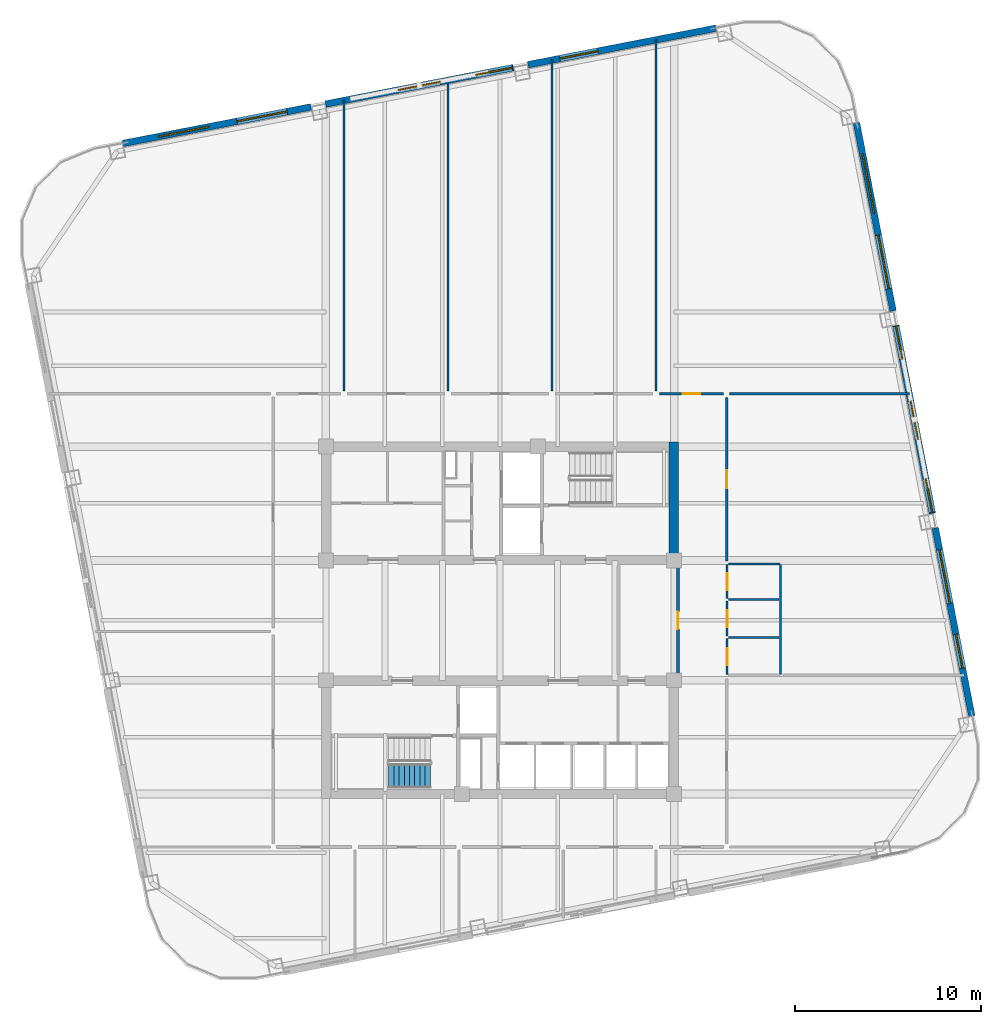
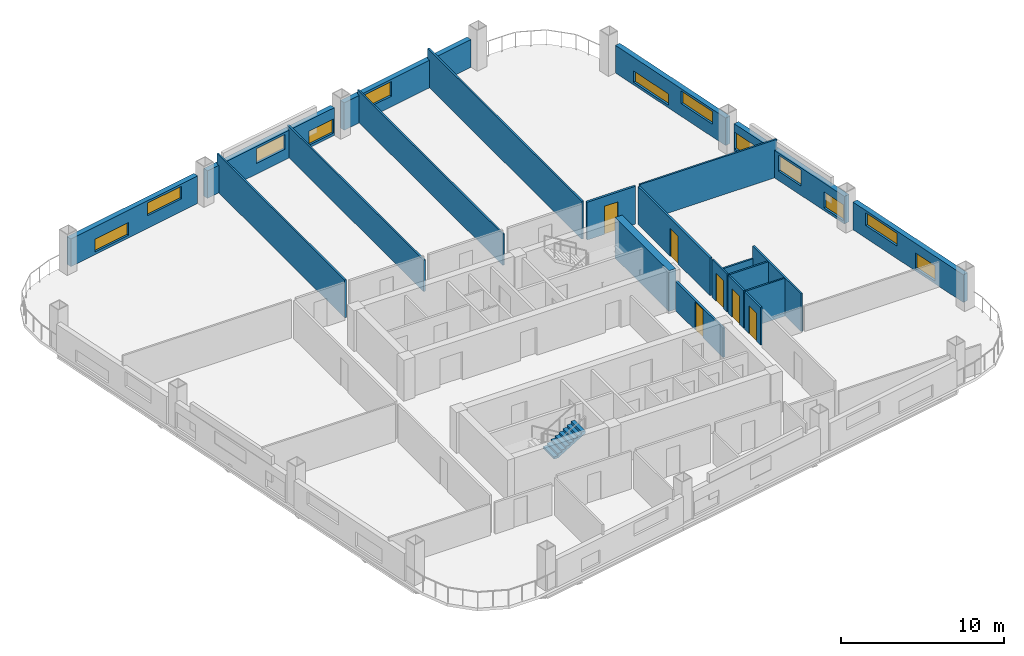
# One storey, part 5 of 9: 22 walls, 12 windows, 6 doors, 1 stair flight, 18 openings, 1 element without a shape of its own.
"""IFC4 building model written with IfcOpenShell, lengths in metres."""

from ifc_helpers import new_model, si_unit, direction, frame, frame_2d, origin, place, context, subcontext, project, spatial, polyline, rectangle, outline, extrude, material, layer, layer_set, type_object, element, fill, aggregate, save


model = new_model("IFC4")

# Units and contexts
model_context = context("Model", 3, precision=1e-05, world=origin(), true_north=direction((0.0, 1.0)))
body_context = subcontext(model_context, "Body", "Model", "MODEL_VIEW")
ifc_project = project(units=[si_unit("LENGTHUNIT", "METRE"), si_unit("AREAUNIT", "SQUARE_METRE"), si_unit("VOLUMEUNIT", "CUBIC_METRE"), si_unit("PLANEANGLEUNIT", "RADIAN"), si_unit("MASSUNIT", "GRAM", prefix="KILO")], contexts=[model_context])

# Site, building, storey
site_placement = place(None, origin())
site = spatial("IfcSite", under=ifc_project, at=site_placement, CompositionType="ELEMENT")
building_placement = place(site_placement, origin())
building = spatial("IfcBuilding", under=site, at=building_placement, Name="Qhalaya Broadcast Tower", CompositionType="ELEMENT")
storey_placement = place(building_placement, frame((0.0, 0.0, 121.949951171875)))
storey = spatial("IfcBuildingStorey", under=building, at=storey_placement, Name="L35", CompositionType="ELEMENT", Elevation=121.949951171875)

# Wall, opening, door
ifc_material_1 = material(Name="Gypsum Acoustic Partition")
ifc_layer_1 = layer(ifc_material_1, 0.14990234375, Name="Gypsum Acoustic Partition")
ifc_layer_set_1 = layer_set([ifc_layer_1], Name="Gypsum Acoustic Partition")
wall_type_1 = type_object("IfcWallType", Name="Corridor & Tenancy Acoustic Partition 150", PredefinedType="PARTITIONING", material=ifc_layer_set_1)
wall_1_placement = place(storey_placement, frame((9.580078125, -2.320068359375, 0.0), z_axis=(0.0, 0.0, 1.0), x_axis=(0.0, 1.0, 0.0)))
wall_1 = element("IfcWall", 1, at=wall_1_placement, inside=storey, type_object=wall_type_1, Name="L35 Partition Wall W-ICHE", PredefinedType="PARTITIONING", context=body_context, shape_type="SweptSolid", body=[
    extrude(rectangle(XDim=5.840087890625, YDim=0.14990234375, at=frame_2d((2.919921875, 0.0))), origin(), (0.0, 0.0, 1.0), 2.197998046875),
])
opening_1_placement = place(wall_1_placement, frame((2.445068359375, 0.0, 0.0)))
opening_1 = element("IfcOpeningElement", 2, at=opening_1_placement, cuts=wall_1, Name="Opening D10", PredefinedType="OPENING", context=body_context, shape_type="SweptSolid", body=[
    extrude(rectangle(XDim=0.949951171875, YDim=2.10009765625, at=frame_2d((0.47509765625, 1.050048828125))), frame((0.0, 0.0869140625, 0.0), z_axis=(0.0, -1.0, 0.0), x_axis=(1.0, 0.0, 0.0)), (0.0, 0.0, 1.0), 0.173828125),
])
ifc_material_2 = material(Name="Timber Veneer Acoustic Door", Category="wood")
door_type_1 = type_object("IfcDoorType", Name="Cellular Office & Edit Booth Door D10", OperationType="NOTDEFINED", PredefinedType="DOOR", material=ifc_material_2)
door_1_placement = place(opening_1_placement, origin())
door_1 = element("IfcDoor", 3, at=door_1_placement, inside=storey, type_object=door_type_1, Name="L35 Door D-ICHE", OperationType="SINGLE_SWING_RIGHT", OverallHeight=2.10009765625, OverallWidth=0.949951171875, PredefinedType="DOOR", context=body_context, shape_type="SweptSolid", body=[
    extrude(rectangle(XDim=0.949951171875, YDim=2.10009765625, at=frame_2d((0.47509765625, 1.050048828125))), frame((0.0, 0.02490234375, 0.0), z_axis=(0.0, -1.0, 0.0), x_axis=(1.0, 0.0, 0.0)), (0.0, 0.0, 1.0), 0.050048828125),
])
fill(opening_1, door_1)

wall_2_placement = place(storey_placement, frame((8.580078125, 12.800048828125, 0.0), z_axis=(0.0, 0.0, 1.0), x_axis=(1.0, 0.0, 0.0)))
wall_2 = element("IfcWall", 4, at=wall_2_placement, inside=storey, type_object=wall_type_1, Name="L35 Partition Wall W-COR-05", PredefinedType="PARTITIONING", context=body_context, shape_type="SweptSolid", body=[
    extrude(rectangle(XDim=3.43994140625, YDim=0.14990234375, at=frame_2d((1.719970703125, 0.0))), origin(), (0.0, 0.0, 1.0), 2.830078125),
])
opening_2_placement = place(wall_2_placement, frame((1.2451171875, 0.0, 0.0)))
opening_2 = element("IfcOpeningElement", 5, at=opening_2_placement, cuts=wall_2, Name="Opening D10", PredefinedType="OPENING", context=body_context, shape_type="SweptSolid", body=[
    extrude(rectangle(XDim=0.949951171875, YDim=2.10009765625, at=frame_2d((0.47509765625, 1.050048828125))), frame((0.0, 0.0869140625, 0.0), z_axis=(0.0, -1.0, 0.0), x_axis=(1.0, 0.0, 0.0)), (0.0, 0.0, 1.0), 0.173828125),
])
door_2_placement = place(opening_2_placement, origin())
door_2 = element("IfcDoor", 6, at=door_2_placement, inside=storey, type_object=door_type_1, Name="L35 Door D-RM05", OperationType="SINGLE_SWING_LEFT", OverallHeight=2.10009765625, OverallWidth=0.949951171875, PredefinedType="DOOR", context=body_context, shape_type="SweptSolid", body=[
    extrude(rectangle(XDim=0.949951171875, YDim=2.10009765625, at=frame_2d((0.47509765625, 1.050048828125))), frame((0.0, 0.02490234375, 0.0), z_axis=(0.0, -1.0, 0.0), x_axis=(1.0, 0.0, 0.0)), (0.0, 0.0, 1.0), 0.050048828125),
])
fill(opening_2, door_2)

wall_3_placement = place(storey_placement, frame((12.199951171875, 3.800048828125, 0.0), z_axis=(0.0, 0.0, 1.0), x_axis=(0.0, 1.0, 0.0)))
wall_3 = element("IfcWall", 7, at=wall_3_placement, inside=storey, type_object=wall_type_1, Name="L35 Partition Wall W-COR-14", PredefinedType="PARTITIONING", context=body_context, shape_type="SweptSolid", body=[
    extrude(rectangle(XDim=8.800048828125, YDim=0.14990234375, at=frame_2d((4.39990234375, 0.0))), origin(), (0.0, 0.0, 1.0), 2.830078125),
])
opening_3_placement = place(wall_3_placement, frame((3.925048828125, 0.0, 0.0)))
opening_3 = element("IfcOpeningElement", 8, at=opening_3_placement, cuts=wall_3, Name="Opening D10", PredefinedType="OPENING", context=body_context, shape_type="SweptSolid", body=[
    extrude(rectangle(XDim=0.949951171875, YDim=2.10009765625, at=frame_2d((0.47509765625, 1.050048828125))), frame((0.0, 0.0869140625, 0.0), z_axis=(0.0, -1.0, 0.0), x_axis=(1.0, 0.0, 0.0)), (0.0, 0.0, 1.0), 0.173828125),
])
door_3_placement = place(opening_3_placement, origin())
door_3 = element("IfcDoor", 9, at=door_3_placement, inside=storey, type_object=door_type_1, Name="L35 Door D-RM14", OperationType="SINGLE_SWING_RIGHT", OverallHeight=2.10009765625, OverallWidth=0.949951171875, PredefinedType="DOOR", context=body_context, shape_type="SweptSolid", body=[
    extrude(rectangle(XDim=0.949951171875, YDim=2.10009765625, at=frame_2d((0.47509765625, 1.050048828125))), frame((0.0, 0.02490234375, 0.0), z_axis=(0.0, -1.0, 0.0), x_axis=(1.0, 0.0, 0.0)), (0.0, 0.0, 1.0), 0.050048828125),
])
fill(opening_3, door_3)

# Wall, openings, windows
ifc_material_3 = material(Name="Precast Concrete C40/50", Category="concrete")
ifc_layer_2 = layer(ifc_material_3, 0.360107421875, Name="Precast Concrete C40/50")
ifc_layer_set_2 = layer_set([ifc_layer_2], Name="Precast Concrete C40/50")
wall_type_2 = type_object("IfcWallType", Name="Insulated Precast Terracotta Exterior Wall 360", PredefinedType="SOLIDWALL", material=ifc_layer_set_2)
wall_4_placement = place(storey_placement, frame((19.189697265625, 27.37646484375, 0.0), z_axis=(0.0, 0.0, 1.0), x_axis=(0.190822765986, -0.981624506612, 0.0)))
wall_4 = element("IfcWall", 10, at=wall_4_placement, inside=storey, type_object=wall_type_2, Name="L35 Exoskeleton Diagrid Infill Wall E1", PredefinedType="SOLIDWALL", context=body_context, shape_type="SweptSolid", body=[
    extrude(rectangle(XDim=10.31201171875, YDim=0.360107421875, at=frame_2d((5.156005859375, 0.0))), origin(), (0.0, 0.0, 1.0), 2.067138671875),
])
opening_4_placement = place(wall_4_placement, frame((1.699951171875, 0.0, 0.199951171875)))
opening_4 = element("IfcOpeningElement", 11, at=opening_4_placement, cuts=wall_4, Name="Opening W11", PredefinedType="OPENING", context=body_context, shape_type="SweptSolid", body=[
    extrude(rectangle(XDim=3.25, YDim=0.85009765625, at=frame_2d((1.625, 0.425048828125))), frame((0.0, 0.192138671875, 0.0), z_axis=(0.0, -1.0, 0.0), x_axis=(1.0, 0.0, 0.0)), (0.0, 0.0, 1.0), 0.384033203125),
])
opening_5_placement = place(wall_4_placement, frame((6.14990234375, 0.0, 0.949951171875)))
opening_5 = element("IfcOpeningElement", 12, at=opening_5_placement, cuts=wall_4, Name="Opening W11", PredefinedType="OPENING", context=body_context, shape_type="SweptSolid", body=[
    extrude(rectangle(XDim=2.949951171875, YDim=0.949951171875, at=frame_2d((1.47509765625, 0.47509765625))), frame((0.0, 0.192138671875, 0.0), z_axis=(0.0, -1.0, 0.0), x_axis=(1.0, 0.0, 0.0)), (0.0, 0.0, 1.0), 0.384033203125),
])
ifc_material_4 = material(Name="Solar-Control Low-E Triple Glazing", Category="glass")
window_type = type_object("IfcWindowType", Name="Odd-Block Diagrid Infill Window W11", PartitioningType="SINGLE_PANEL", PredefinedType="WINDOW", material=ifc_material_4)
window_1_placement = place(opening_4_placement, origin())
window_1 = element("IfcWindow", 13, at=window_1_placement, inside=storey, type_object=window_type, Name="L35 Diagrid Infill Window W11-E1", OverallHeight=0.85009765625, OverallWidth=3.25, PartitioningType="SINGLE_PANEL", PredefinedType="WINDOW", context=body_context, shape_type="SweptSolid", body=[
    extrude(rectangle(XDim=3.25, YDim=0.85009765625, at=frame_2d((1.625, 0.425048828125))), frame((0.0, 0.030029296875, 0.0), z_axis=(0.0, -1.0, 0.0), x_axis=(1.0, 0.0, 0.0)), (0.0, 0.0, 1.0), 0.06005859375),
])
fill(opening_4, window_1)
window_2_placement = place(opening_5_placement, origin())
window_2 = element("IfcWindow", 14, at=window_2_placement, inside=storey, type_object=window_type, Name="L35 Diagrid Infill Window W11-E2", OverallHeight=0.949951171875, OverallWidth=2.949951171875, PartitioningType="SINGLE_PANEL", PredefinedType="WINDOW", context=body_context, shape_type="SweptSolid", body=[
    extrude(rectangle(XDim=2.949951171875, YDim=0.949951171875, at=frame_2d((1.47509765625, 0.47509765625))), frame((0.0, 0.030029296875, 0.0), z_axis=(0.0, -1.0, 0.0), x_axis=(1.0, 0.0, 0.0)), (0.0, 0.0, 1.0), 0.06005859375),
])
fill(opening_5, window_2)

wall_5_placement = place(storey_placement, frame((21.31005859375, 16.468505859375, 0.0), z_axis=(0.0, 0.0, 1.0), x_axis=(0.190811924826, -0.981626614016, 0.0)))
wall_5 = element("IfcWall", 15, at=wall_5_placement, inside=storey, type_object=wall_type_2, Name="L35 Exoskeleton Diagrid Infill Wall E2", PredefinedType="SOLIDWALL", context=body_context, shape_type="SweptSolid", body=[
    extrude(rectangle(XDim=10.2998046875, YDim=0.360107421875, at=frame_2d((5.14990234375, 0.0))), origin(), (0.0, 0.0, 1.0), 2.067138671875),
])
opening_6_placement = place(wall_5_placement, frame((0.0380859375, 0.0, 0.199951171875)))
opening_6 = element("IfcOpeningElement", 16, at=opening_6_placement, cuts=wall_5, Name="Opening W11", PredefinedType="OPENING", context=body_context, shape_type="SweptSolid", body=[
    extrude(rectangle(XDim=1.800048828125, YDim=1.25, at=frame_2d((0.89990234375, 0.625))), frame((0.0, 0.192138671875, 0.0), z_axis=(0.0, -1.0, 0.0), x_axis=(1.0, 0.0, 0.0)), (0.0, 0.0, 1.0), 0.384033203125),
])
opening_7_placement = place(wall_5_placement, frame((4.137939453125, 0.0, 0.699951171875)))
opening_7 = element("IfcOpeningElement", 17, at=opening_7_placement, cuts=wall_5, Name="Opening W11", PredefinedType="OPENING", context=body_context, shape_type="SweptSolid", body=[
    extrude(rectangle(XDim=2.10009765625, YDim=1.199951171875, at=frame_2d((1.050048828125, 0.60009765625))), frame((0.0, 0.192138671875, 0.0), z_axis=(0.0, -1.0, 0.0), x_axis=(1.0, 0.0, 0.0)), (0.0, 0.0, 1.0), 0.384033203125),
])
opening_8_placement = place(wall_5_placement, frame((8.387939453125, 0.0, 0.199951171875)))
opening_8 = element("IfcOpeningElement", 18, at=opening_8_placement, cuts=wall_5, Name="Opening W11", PredefinedType="OPENING", context=body_context, shape_type="SweptSolid", body=[
    extrude(rectangle(XDim=1.85009765625, YDim=1.199951171875, at=frame_2d((0.925048828125, 0.60009765625))), frame((0.0, 0.192138671875, 0.0), z_axis=(0.0, -1.0, 0.0), x_axis=(1.0, 0.0, 0.0)), (0.0, 0.0, 1.0), 0.384033203125),
])
window_3_placement = place(opening_6_placement, origin())
window_3 = element("IfcWindow", 19, at=window_3_placement, inside=storey, type_object=window_type, Name="L35 Diagrid Infill Window W11-E3", OverallHeight=1.25, OverallWidth=1.800048828125, PartitioningType="SINGLE_PANEL", PredefinedType="WINDOW", context=body_context, shape_type="SweptSolid", body=[
    extrude(rectangle(XDim=1.800048828125, YDim=1.25, at=frame_2d((0.89990234375, 0.625))), frame((0.0, 0.030029296875, 0.0), z_axis=(0.0, -1.0, 0.0), x_axis=(1.0, 0.0, 0.0)), (0.0, 0.0, 1.0), 0.06005859375),
])
fill(opening_6, window_3)
window_4_placement = place(opening_7_placement, origin())
window_4 = element("IfcWindow", 20, at=window_4_placement, inside=storey, type_object=window_type, Name="L35 Diagrid Infill Window W11-E4", OverallHeight=1.199951171875, OverallWidth=2.10009765625, PartitioningType="SINGLE_PANEL", PredefinedType="WINDOW", context=body_context, shape_type="SweptSolid", body=[
    extrude(rectangle(XDim=2.10009765625, YDim=1.199951171875, at=frame_2d((1.050048828125, 0.60009765625))), frame((0.0, 0.030029296875, 0.0), z_axis=(0.0, -1.0, 0.0), x_axis=(1.0, 0.0, 0.0)), (0.0, 0.0, 1.0), 0.06005859375),
])
fill(opening_7, window_4)
window_5_placement = place(opening_8_placement, origin())
window_5 = element("IfcWindow", 21, at=window_5_placement, inside=storey, type_object=window_type, Name="L35 Diagrid Infill Window W11-E5", OverallHeight=1.199951171875, OverallWidth=1.85009765625, PartitioningType="SINGLE_PANEL", PredefinedType="WINDOW", context=body_context, shape_type="SweptSolid", body=[
    extrude(rectangle(XDim=1.85009765625, YDim=1.199951171875, at=frame_2d((0.925048828125, 0.60009765625))), frame((0.0, 0.030029296875, 0.0), z_axis=(0.0, -1.0, 0.0), x_axis=(1.0, 0.0, 0.0)), (0.0, 0.0, 1.0), 0.06005859375),
])
fill(opening_8, window_5)

wall_6_placement = place(storey_placement, frame((23.427978515625, 5.572509765625, 0.0), z_axis=(0.0, 0.0, 1.0), x_axis=(0.190827200853, -0.981623644486, 0.0)))
wall_6 = element("IfcWall", 22, at=wall_6_placement, inside=storey, type_object=wall_type_2, Name="L35 Exoskeleton Diagrid Infill Wall E3", PredefinedType="SOLIDWALL", context=body_context, shape_type="SweptSolid", body=[
    extrude(rectangle(XDim=10.311767578125, YDim=0.360107421875, at=frame_2d((5.15576171875, 0.0))), origin(), (0.0, 0.0, 1.0), 2.067138671875),
])
opening_9_placement = place(wall_6_placement, frame((1.18798828125, 0.0, 0.949951171875)))
opening_9 = element("IfcOpeningElement", 23, at=opening_9_placement, cuts=wall_6, Name="Opening W11", PredefinedType="OPENING", context=body_context, shape_type="SweptSolid", body=[
    extrude(rectangle(XDim=2.949951171875, YDim=0.949951171875, at=frame_2d((1.47509765625, 0.47509765625))), frame((0.0, 0.192138671875, 0.0), z_axis=(0.0, -1.0, 0.0), x_axis=(1.0, 0.0, 0.0)), (0.0, 0.0, 1.0), 0.384033203125),
])
opening_10_placement = place(wall_6_placement, frame((5.837890625, 0.0, 0.199951171875)))
opening_10 = element("IfcOpeningElement", 24, at=opening_10_placement, cuts=wall_6, Name="Opening W11", PredefinedType="OPENING", context=body_context, shape_type="SweptSolid", body=[
    extrude(rectangle(XDim=1.85009765625, YDim=1.14990234375, at=frame_2d((0.925048828125, 0.574951171875))), frame((0.0, 0.192138671875, 0.0), z_axis=(0.0, -1.0, 0.0), x_axis=(1.0, 0.0, 0.0)), (0.0, 0.0, 1.0), 0.384033203125),
])
window_6_placement = place(opening_9_placement, origin())
window_6 = element("IfcWindow", 25, at=window_6_placement, inside=storey, type_object=window_type, Name="L35 Diagrid Infill Window W11-E6", OverallHeight=0.949951171875, OverallWidth=2.949951171875, PartitioningType="SINGLE_PANEL", PredefinedType="WINDOW", context=body_context, shape_type="SweptSolid", body=[
    extrude(rectangle(XDim=2.949951171875, YDim=0.949951171875, at=frame_2d((1.47509765625, 0.47509765625))), frame((0.0, 0.030029296875, 0.0), z_axis=(0.0, -1.0, 0.0), x_axis=(1.0, 0.0, 0.0)), (0.0, 0.0, 1.0), 0.06005859375),
])
fill(opening_9, window_6)
window_7_placement = place(opening_10_placement, origin())
window_7 = element("IfcWindow", 26, at=window_7_placement, inside=storey, type_object=window_type, Name="L35 Diagrid Infill Window W11-E7", OverallHeight=1.14990234375, OverallWidth=1.85009765625, PartitioningType="SINGLE_PANEL", PredefinedType="WINDOW", context=body_context, shape_type="SweptSolid", body=[
    extrude(rectangle(XDim=1.85009765625, YDim=1.14990234375, at=frame_2d((0.925048828125, 0.574951171875))), frame((0.0, 0.030029296875, 0.0), z_axis=(0.0, -1.0, 0.0), x_axis=(1.0, 0.0, 0.0)), (0.0, 0.0, 1.0), 0.06005859375),
])
fill(opening_10, window_7)

wall_7_placement = place(storey_placement, frame((-20.29638671875, 26.269775390625, 0.0), z_axis=(0.0, 0.0, 1.0), x_axis=(0.981628941133, 0.190799952646, 0.0)))
wall_7 = element("IfcWall", 27, at=wall_7_placement, inside=storey, type_object=wall_type_2, Name="L35 Exoskeleton Diagrid Infill Wall N1", PredefinedType="SOLIDWALL", context=body_context, shape_type="SweptSolid", body=[
    extrude(rectangle(XDim=10.31201171875, YDim=0.360107421875, at=frame_2d((5.156005859375, 0.0))), origin(), (0.0, 0.0, 1.0), 2.067138671875),
])
opening_11_placement = place(wall_7_placement, frame((1.949951171875, 0.0, 0.199951171875)))
opening_11 = element("IfcOpeningElement", 28, at=opening_11_placement, cuts=wall_7, Name="Opening W11", PredefinedType="OPENING", context=body_context, shape_type="SweptSolid", body=[
    extrude(rectangle(XDim=2.75, YDim=0.949951171875, at=frame_2d((1.375, 0.47509765625))), frame((0.0, 0.192138671875, 0.0), z_axis=(0.0, -1.0, 0.0), x_axis=(1.0, 0.0, 0.0)), (0.0, 0.0, 1.0), 0.384033203125),
])
opening_12_placement = place(wall_7_placement, frame((6.25, 0.0, 0.949951171875)))
opening_12 = element("IfcOpeningElement", 29, at=opening_12_placement, cuts=wall_7, Name="Opening W11", PredefinedType="OPENING", context=body_context, shape_type="SweptSolid", body=[
    extrude(rectangle(XDim=2.75, YDim=0.949951171875, at=frame_2d((1.375, 0.47509765625))), frame((0.0, 0.192138671875, 0.0), z_axis=(0.0, -1.0, 0.0), x_axis=(1.0, 0.0, 0.0)), (0.0, 0.0, 1.0), 0.384033203125),
])
window_8_placement = place(opening_11_placement, origin())
window_8 = element("IfcWindow", 30, at=window_8_placement, inside=storey, type_object=window_type, Name="L35 Diagrid Infill Window W11-N1", OverallHeight=0.949951171875, OverallWidth=2.75, PartitioningType="SINGLE_PANEL", PredefinedType="WINDOW", context=body_context, shape_type="SweptSolid", body=[
    extrude(rectangle(XDim=2.75, YDim=0.949951171875, at=frame_2d((1.375, 0.47509765625))), frame((0.0, 0.030029296875, 0.0), z_axis=(0.0, -1.0, 0.0), x_axis=(1.0, 0.0, 0.0)), (0.0, 0.0, 1.0), 0.06005859375),
])
fill(opening_11, window_8)
window_9_placement = place(opening_12_placement, origin())
window_9 = element("IfcWindow", 31, at=window_9_placement, inside=storey, type_object=window_type, Name="L35 Diagrid Infill Window W11-N2", OverallHeight=0.949951171875, OverallWidth=2.75, PartitioningType="SINGLE_PANEL", PredefinedType="WINDOW", context=body_context, shape_type="SweptSolid", body=[
    extrude(rectangle(XDim=2.75, YDim=0.949951171875, at=frame_2d((1.375, 0.47509765625))), frame((0.0, 0.030029296875, 0.0), z_axis=(0.0, -1.0, 0.0), x_axis=(1.0, 0.0, 0.0)), (0.0, 0.0, 1.0), 0.06005859375),
])
fill(opening_12, window_9)

wall_8_placement = place(storey_placement, frame((-9.388671875, 28.39013671875, 0.0), z_axis=(0.0, 0.0, 1.0), x_axis=(0.981627477005, 0.190807485147, 0.0)))
wall_8 = element("IfcWall", 32, at=wall_8_placement, inside=storey, type_object=wall_type_2, Name="L35 Exoskeleton Diagrid Infill Wall N2", PredefinedType="SOLIDWALL", context=body_context, shape_type="SweptSolid", body=[
    extrude(rectangle(XDim=10.300048828125, YDim=0.360107421875, at=frame_2d((5.14990234375, 0.0))), origin(), (0.0, 0.0, 1.0), 2.067138671875),
])
opening_13_placement = place(wall_8_placement, frame((3.988037109375, 0.0, 0.800048828125)))
opening_13 = element("IfcOpeningElement", 33, at=opening_13_placement, cuts=wall_8, Name="Opening W11", PredefinedType="OPENING", context=body_context, shape_type="SweptSolid", body=[
    extrude(rectangle(XDim=2.300048828125, YDim=1.10009765625, at=frame_2d((1.14990234375, 0.550048828125))), frame((0.0, 0.192138671875, 0.0), z_axis=(0.0, -1.0, 0.0), x_axis=(1.0, 0.0, 0.0)), (0.0, 0.0, 1.0), 0.384033203125),
])
opening_14_placement = place(wall_8_placement, frame((8.238037109375, 0.0, 0.199951171875)))
opening_14 = element("IfcOpeningElement", 34, at=opening_14_placement, cuts=wall_8, Name="Opening W11", PredefinedType="OPENING", context=body_context, shape_type="SweptSolid", body=[
    extrude(rectangle(XDim=2.0, YDim=1.050048828125, at=frame_2d((1.0, 0.52490234375))), frame((0.0, 0.192138671875, 0.0), z_axis=(0.0, -1.0, 0.0), x_axis=(1.0, 0.0, 0.0)), (0.0, 0.0, 1.0), 0.384033203125),
])
window_10_placement = place(opening_13_placement, origin())
window_10 = element("IfcWindow", 35, at=window_10_placement, inside=storey, type_object=window_type, Name="L35 Diagrid Infill Window W11-N3", OverallHeight=1.10009765625, OverallWidth=2.300048828125, PartitioningType="SINGLE_PANEL", PredefinedType="WINDOW", context=body_context, shape_type="SweptSolid", body=[
    extrude(rectangle(XDim=2.300048828125, YDim=1.10009765625, at=frame_2d((1.14990234375, 0.550048828125))), frame((0.0, 0.030029296875, 0.0), z_axis=(0.0, -1.0, 0.0), x_axis=(1.0, 0.0, 0.0)), (0.0, 0.0, 1.0), 0.06005859375),
])
fill(opening_13, window_10)
window_11_placement = place(opening_14_placement, origin())
window_11 = element("IfcWindow", 36, at=window_11_placement, inside=storey, type_object=window_type, Name="L35 Diagrid Infill Window W11-N4", OverallHeight=1.050048828125, OverallWidth=2.0, PartitioningType="SINGLE_PANEL", PredefinedType="WINDOW", context=body_context, shape_type="SweptSolid", body=[
    extrude(rectangle(XDim=2.0, YDim=1.050048828125, at=frame_2d((1.0, 0.52490234375))), frame((0.0, 0.030029296875, 0.0), z_axis=(0.0, -1.0, 0.0), x_axis=(1.0, 0.0, 0.0)), (0.0, 0.0, 1.0), 0.06005859375),
])
fill(opening_14, window_11)

# Wall, opening, window
wall_9_placement = place(storey_placement, frame((1.50732421875, 30.508056640625, 0.0), z_axis=(0.0, 0.0, 1.0), x_axis=(0.981628941133, 0.190799952646, 0.0)))
wall_9 = element("IfcWall", 37, at=wall_9_placement, inside=storey, type_object=wall_type_2, Name="L35 Exoskeleton Diagrid Infill Wall N3", PredefinedType="SOLIDWALL", context=body_context, shape_type="SweptSolid", body=[
    extrude(rectangle(XDim=10.31201171875, YDim=0.360107421875, at=frame_2d((5.156005859375, 0.0))), origin(), (0.0, 0.0, 1.0), 2.067138671875),
])
opening_15_placement = place(wall_9_placement, frame((1.738037109375, 0.0, 0.800048828125)))
opening_15 = element("IfcOpeningElement", 38, at=opening_15_placement, cuts=wall_9, Name="Opening W11", PredefinedType="OPENING", context=body_context, shape_type="SweptSolid", body=[
    extrude(rectangle(XDim=2.10009765625, YDim=1.10009765625, at=frame_2d((1.050048828125, 0.550048828125))), frame((0.0, 0.192138671875, 0.0), z_axis=(0.0, -1.0, 0.0), x_axis=(1.0, 0.0, 0.0)), (0.0, 0.0, 1.0), 0.384033203125),
])
window_12_placement = place(opening_15_placement, origin())
window_12 = element("IfcWindow", 39, at=window_12_placement, inside=storey, type_object=window_type, Name="L35 Diagrid Infill Window W11-N5", OverallHeight=1.10009765625, OverallWidth=2.10009765625, PartitioningType="SINGLE_PANEL", PredefinedType="WINDOW", context=body_context, shape_type="SweptSolid", body=[
    extrude(rectangle(XDim=2.10009765625, YDim=1.10009765625, at=frame_2d((1.050048828125, 0.550048828125))), frame((0.0, 0.030029296875, 0.0), z_axis=(0.0, -1.0, 0.0), x_axis=(1.0, 0.0, 0.0)), (0.0, 0.0, 1.0), 0.06005859375),
])
fill(opening_15, window_12)

# Wall
ifc_material_5 = material(Name="Concrete C50/60", Category="concrete")
ifc_layer_3 = layer(ifc_material_5, 0.5, Name="Concrete C50/60")
ifc_layer_set_3 = layer_set([ifc_layer_3], Name="Concrete C50/60")
wall_type_3 = type_object("IfcWallType", Name="Mid Split-Core Shear Wall 500", PredefinedType="SHEAR", material=ifc_layer_set_3)
wall_10_placement = place(storey_placement, frame((9.35009765625, 3.60009765625, 0.0), z_axis=(0.0, 0.0, 1.0), x_axis=(0.0, 1.0, 0.0)))
element("IfcWall", 40, at=wall_10_placement, inside=storey, type_object=wall_type_3, Name="L35 Split-Core Shear Wall CW-NE", PredefinedType="SHEAR", context=body_context, shape_type="SweptSolid", body=[
    extrude(rectangle(XDim=6.599853515625, YDim=0.5, at=frame_2d((3.2998046875, 0.0))), origin(), (0.0, 0.0, 1.0), 3.050048828125),
])

# Wall, opening, door
ifc_layer_4 = layer(ifc_material_1, 0.1201171875, Name="Gypsum Acoustic Partition")
ifc_layer_set_4 = layer_set([ifc_layer_4], Name="Gypsum Acoustic Partition")
wall_type_4 = type_object("IfcWallType", Name="Office, Booth & Sanitary Partition 120", PredefinedType="PARTITIONING", material=ifc_layer_set_4)
wall_11_placement = place(storey_placement, frame((12.219970703125, -2.320068359375, 0.0), z_axis=(0.0, 0.0, 1.0), x_axis=(0.0, 1.0, 0.0)))
wall_11 = element("IfcWall", 41, at=wall_11_placement, inside=storey, type_object=wall_type_4, Name="L35 Partition Wall W-WCWA", PredefinedType="PARTITIONING", context=body_context, shape_type="SweptSolid", body=[
    extrude(rectangle(XDim=1.940185546875, YDim=0.1201171875, at=frame_2d((0.97021484375, 0.0))), origin(), (0.0, 0.0, 1.0), 2.830078125),
])
opening_16_placement = place(wall_11_placement, frame((0.4951171875, 0.0, 0.0)))
opening_16 = element("IfcOpeningElement", 42, at=opening_16_placement, cuts=wall_11, Name="Opening D12", PredefinedType="OPENING", context=body_context, shape_type="SweptSolid", body=[
    extrude(rectangle(XDim=0.919921875, YDim=2.10009765625, at=frame_2d((0.4599609375, 1.050048828125))), frame((0.0, 0.072021484375, 0.0), z_axis=(0.0, -1.0, 0.0), x_axis=(1.0, 0.0, 0.0)), (0.0, 0.0, 1.0), 0.14404296875),
])
door_type_2 = type_object("IfcDoorType", Name="Accessible WC & Restroom Door D12", OperationType="NOTDEFINED", PredefinedType="DOOR", material=ifc_material_2)
door_4_placement = place(opening_16_placement, origin())
door_4 = element("IfcDoor", 43, at=door_4_placement, inside=storey, type_object=door_type_2, Name="L35 Door D-WCA", OperationType="SINGLE_SWING_LEFT", OverallHeight=2.10009765625, OverallWidth=0.919921875, PredefinedType="DOOR", context=body_context, shape_type="SweptSolid", body=[
    extrude(rectangle(XDim=0.919921875, YDim=2.10009765625, at=frame_2d((0.4599609375, 1.050048828125))), frame((0.0, 0.02490234375, 0.0), z_axis=(0.0, -1.0, 0.0), x_axis=(1.0, 0.0, 0.0)), (0.0, 0.0, 1.0), 0.050048828125),
])
fill(opening_16, door_4)

wall_12_placement = place(storey_placement, frame((12.219970703125, -0.25, 0.0), z_axis=(0.0, 0.0, 1.0), x_axis=(0.0, 1.0, 0.0)))
wall_12 = element("IfcWall", 44, at=wall_12_placement, inside=storey, type_object=wall_type_4, Name="L35 Partition Wall W-WCWM", PredefinedType="PARTITIONING", context=body_context, shape_type="SweptSolid", body=[
    extrude(rectangle(XDim=1.89990234375, YDim=0.1201171875, at=frame_2d((0.949951171875, 0.0))), origin(), (0.0, 0.0, 1.0), 2.830078125),
])
opening_17_placement = place(wall_12_placement, frame((0.47509765625, 0.0, 0.0)))
opening_17 = element("IfcOpeningElement", 45, at=opening_17_placement, cuts=wall_12, Name="Opening D12", PredefinedType="OPENING", context=body_context, shape_type="SweptSolid", body=[
    extrude(rectangle(XDim=0.919921875, YDim=2.10009765625, at=frame_2d((0.4599609375, 1.050048828125))), frame((0.0, 0.072021484375, 0.0), z_axis=(0.0, -1.0, 0.0), x_axis=(1.0, 0.0, 0.0)), (0.0, 0.0, 1.0), 0.14404296875),
])
door_5_placement = place(opening_17_placement, origin())
door_5 = element("IfcDoor", 46, at=door_5_placement, inside=storey, type_object=door_type_2, Name="L35 Door D-WCM", OperationType="SINGLE_SWING_RIGHT", OverallHeight=2.10009765625, OverallWidth=0.919921875, PredefinedType="DOOR", context=body_context, shape_type="SweptSolid", body=[
    extrude(rectangle(XDim=0.919921875, YDim=2.10009765625, at=frame_2d((0.4599609375, 1.050048828125))), frame((0.0, 0.02490234375, 0.0), z_axis=(0.0, -1.0, 0.0), x_axis=(1.0, 0.0, 0.0)), (0.0, 0.0, 1.0), 0.050048828125),
])
fill(opening_17, door_5)

wall_13_placement = place(storey_placement, frame((12.219970703125, 1.780029296875, 0.0), z_axis=(0.0, 0.0, 1.0), x_axis=(0.0, 1.0, 0.0)))
wall_13 = element("IfcWall", 47, at=wall_13_placement, inside=storey, type_object=wall_type_4, Name="L35 Partition Wall W-WCWF", PredefinedType="PARTITIONING", context=body_context, shape_type="SweptSolid", body=[
    extrude(rectangle(XDim=1.830078125, YDim=0.1201171875, at=frame_2d((0.9150390625, 0.0))), origin(), (0.0, 0.0, 1.0), 2.830078125),
])
opening_18_placement = place(wall_13_placement, frame((0.43994140625, 0.0, 0.0)))
opening_18 = element("IfcOpeningElement", 48, at=opening_18_placement, cuts=wall_13, Name="Opening D12", PredefinedType="OPENING", context=body_context, shape_type="SweptSolid", body=[
    extrude(rectangle(XDim=0.919921875, YDim=2.10009765625, at=frame_2d((0.4599609375, 1.050048828125))), frame((0.0, 0.072021484375, 0.0), z_axis=(0.0, -1.0, 0.0), x_axis=(1.0, 0.0, 0.0)), (0.0, 0.0, 1.0), 0.14404296875),
])
door_6_placement = place(opening_18_placement, origin())
door_6 = element("IfcDoor", 49, at=door_6_placement, inside=storey, type_object=door_type_2, Name="L35 Door D-WCF", OperationType="SINGLE_SWING_LEFT", OverallHeight=2.10009765625, OverallWidth=0.919921875, PredefinedType="DOOR", context=body_context, shape_type="SweptSolid", body=[
    extrude(rectangle(XDim=0.919921875, YDim=2.10009765625, at=frame_2d((0.4599609375, 1.050048828125))), frame((0.0, 0.02490234375, 0.0), z_axis=(0.0, -1.0, 0.0), x_axis=(1.0, 0.0, 0.0)), (0.0, 0.0, 1.0), 0.050048828125),
])
fill(opening_18, door_6)

# Walls
wall_14_placement = place(storey_placement, frame((15.10009765625, -2.320068359375, 0.0), z_axis=(0.0, 0.0, 1.0), x_axis=(0.0, 1.0, 0.0)))
element("IfcWall", 50, at=wall_14_placement, inside=storey, type_object=wall_type_4, Name="L35 Partition Wall W-WCE", PredefinedType="PARTITIONING", context=body_context, shape_type="SweptSolid", body=[
    extrude(rectangle(XDim=5.93017578125, YDim=0.1201171875, at=frame_2d((2.965087890625, 0.0))), origin(), (0.0, 0.0, 1.0), 2.830078125),
])
wall_15_placement = place(storey_placement, frame((12.31005859375, 3.639892578125, 0.0), z_axis=(0.0, 0.0, 1.0), x_axis=(1.0, 0.0, 0.0)))
element("IfcWall", 51, at=wall_15_placement, inside=storey, type_object=wall_type_4, Name="L35 Partition Wall W-WCN", PredefinedType="PARTITIONING", context=body_context, shape_type="SweptSolid", body=[
    extrude(rectangle(XDim=2.760009765625, YDim=0.1201171875, at=frame_2d((1.3798828125, 0.0))), origin(), (0.0, 0.0, 1.0), 1.883056640625),
])
for number, where, z_axis, x_axis, name in (
    (52, (12.31005859375, -0.320068359375, 0.0), (0.0, 0.0, 1.0), (1.0, 0.0, 0.0), "L35 Partition Wall W-WCD1"),
    (53, (12.31005859375, 1.719970703125, 0.0), (0.0, 0.0, 1.0), (1.0, 0.0, 0.0), "L35 Partition Wall W-WCD2"),
):
    element("IfcWall", number, at=place(storey_placement, frame(where, z_axis=z_axis, x_axis=x_axis)), inside=storey, type_object=wall_type_4, Name=name, PredefinedType="PARTITIONING", context=body_context, shape_type="SweptSolid", body=[
        extrude(rectangle(XDim=2.719970703125, YDim=0.1201171875, at=frame_2d((1.35986328125, 0.0))), origin(), (0.0, 0.0, 1.0), 2.830078125),
    ])
wall_16_placement = place(storey_placement, frame((12.340087890625, 12.800048828125, 0.0), z_axis=(0.0, 0.0, 1.0), x_axis=(1.0, 0.0, 0.0)))
element("IfcWall", 54, at=wall_16_placement, inside=storey, type_object=wall_type_4, Name="L35 Partition Wall W-BNDE1", PredefinedType="PARTITIONING", context=body_context, shape_type="SweptSolid", body=[
    extrude(rectangle(XDim=9.703369140625, YDim=0.1201171875, at=frame_2d((4.8515625, 0.0))), origin(), (0.0, 0.0, 1.0), 2.830078125),
])
wall_17_placement = place(storey_placement, frame((-8.39990234375, 12.9599609375, 0.0), z_axis=(0.0, 0.0, 1.0), x_axis=(0.0, 1.0, 0.0)))
element("IfcWall", 55, at=wall_17_placement, inside=storey, type_object=wall_type_4, Name="L35 Partition Wall W-DIVN1", PredefinedType="PARTITIONING", context=body_context, shape_type="SweptSolid", body=[
    extrude(rectangle(XDim=15.642578125, YDim=0.1201171875, at=frame_2d((7.8212890625, 0.0))), origin(), (0.0, 0.0, 1.0), 2.830078125),
])
wall_18_placement = place(storey_placement, frame((-2.800048828125, 12.9599609375, 0.0), z_axis=(0.0, 0.0, 1.0), x_axis=(0.0, 1.0, 0.0)))
element("IfcWall", 56, at=wall_18_placement, inside=storey, type_object=wall_type_4, Name="L35 Partition Wall W-DIVN2", PredefinedType="PARTITIONING", context=body_context, shape_type="SweptSolid", body=[
    extrude(rectangle(XDim=16.731201171875, YDim=0.1201171875, at=frame_2d((8.36572265625, 0.0))), origin(), (0.0, 0.0, 1.0), 2.34716796875),
])
wall_19_placement = place(storey_placement, frame((2.800048828125, 12.9599609375, 0.0), z_axis=(0.0, 0.0, 1.0), x_axis=(0.0, 1.0, 0.0)))
element("IfcWall", 57, at=wall_19_placement, inside=storey, type_object=wall_type_4, Name="L35 Partition Wall W-DIVN3", PredefinedType="PARTITIONING", context=body_context, shape_type="SweptSolid", body=[
    extrude(rectangle(XDim=17.81982421875, YDim=0.1201171875, at=frame_2d((8.909912109375, 0.0))), origin(), (0.0, 0.0, 1.0), 2.34716796875),
])
wall_20_placement = place(storey_placement, frame((8.39990234375, 12.9599609375, 0.0), z_axis=(0.0, 0.0, 1.0), x_axis=(0.0, 1.0, 0.0)))
element("IfcWall", 58, at=wall_20_placement, inside=storey, type_object=wall_type_4, Name="L35 Partition Wall W-DIVN4", PredefinedType="PARTITIONING", context=body_context, shape_type="SweptSolid", body=[
    extrude(rectangle(XDim=18.908203125, YDim=0.1201171875, at=frame_2d((9.4541015625, 0.0))), origin(), (0.0, 0.0, 1.0), 2.830078125),
])

# Stair, stair flight
ifc_material_6 = material(Name="Concrete C40/50", Category="concrete")
stair_type = type_object("IfcStairType", Name="Protected Dogleg Core Stair 3150", PredefinedType="TWO_STRAIGHT_RUN_STAIR", material=ifc_material_6)
stair_placement = place(storey_placement, origin())
stair = element("IfcStair", 59, at=stair_placement, inside=storey, type_object=stair_type, Name="L35 South Core Exit Stair ST-2", PredefinedType="TWO_STRAIGHT_RUN_STAIR")
stair_flight_type = type_object("IfcStairFlightType", Name="Precast Concrete Stair Flight 3150", PredefinedType="STRAIGHT", material=ifc_material_3)
stair_flight_placement = place(storey_placement, frame((-5.989990234375, -7.780029296875, 1.525146484375), z_axis=(0.0, 0.0, 1.0), x_axis=(1.0, 0.0, 0.0)))
stair_flight = element("IfcStairFlight", 60, at=stair_flight_placement, type_object=stair_flight_type, Name="ST-2 flight 2", NumberOfRisers=9, NumberOfTreads=8, PredefinedType="STRAIGHT", RiserHeight=0.169444444, TreadLength=0.28, context=body_context, shape_type="SweptSolid", body=[
    extrude(outline(polyline([(0.0, 0.0), (0.0, 0.16943359375), (0.280029296875, 0.16943359375), (0.280029296875, 0.3388671875), (0.56005859375, 0.3388671875), (0.56005859375, 0.50830078125), (0.840087890625, 0.50830078125), (0.840087890625, 0.677734375), (1.1201171875, 0.677734375), (1.1201171875, 0.84716796875), (1.39990234375, 0.84716796875), (1.39990234375, 1.0166015625), (1.679931640625, 1.0166015625), (1.679931640625, 1.18603515625), (1.9599609375, 1.18603515625), (1.9599609375, 1.35546875), (2.239990234375, 1.35546875), (2.239990234375, 1.52490234375), (2.239990234375, 1.180419921875), (0.28955078125, 0.0), (0.0, 0.0)])), frame((0.0, 0.66015625, 0.0), z_axis=(0.0, -1.0, 0.0), x_axis=(1.0, 0.0, 0.0)), (0.0, 0.0, 1.0), 1.320068359375),
])
aggregate(stair, [stair_flight])

save(model, "model.ifc")
